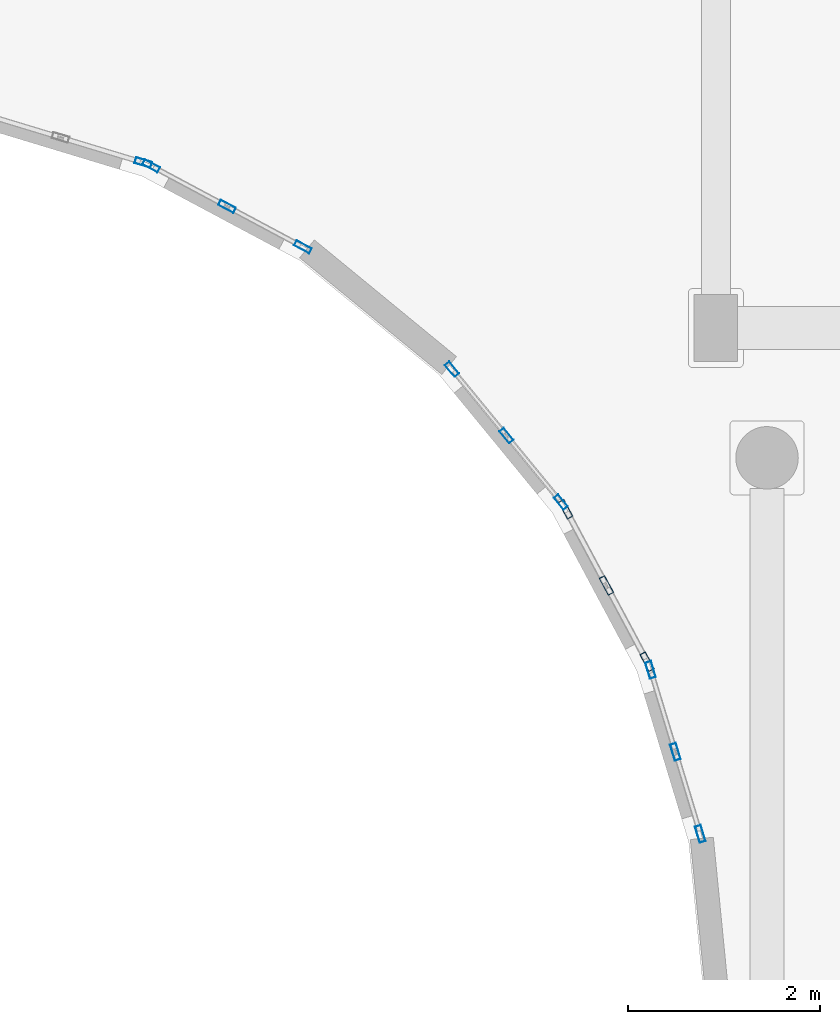
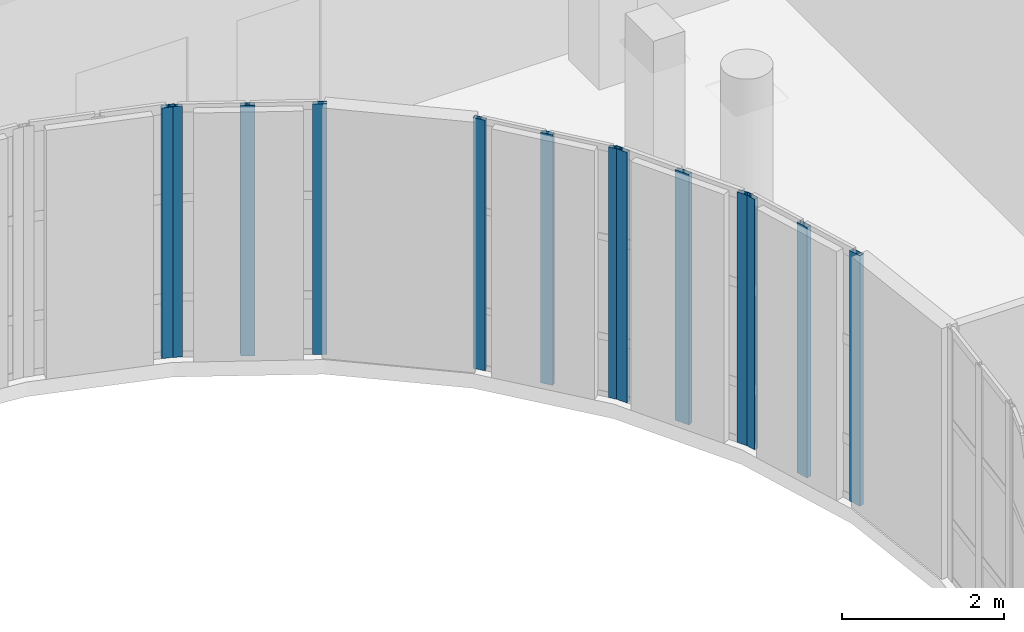
# One storey, part 41 of 89: 13 members, 5 elements without a shape of their own.
"""IFC4 building model written with IfcOpenShell, lengths in metres."""

import ifcopenshell
import ifcopenshell.guid

model = None  # the IFC model being written
_history = None  # IfcOwnerHistory: only IFC2X3 demands one
_inside = {}  # id of a spatial element -> (the spatial element, [elements in it])
_under = {}  # id of a project, library or spatial element -> (it, [spatial elements below it])
_declared = {}  # id of a project -> (the project, [libraries it declares])
_typed = {}  # id of a type object -> (the type object, [elements of that type])
_made_of = {}  # id of a material, layer set ... -> (it, [elements and type objects made of it])


def new_model(schema):
    """Start an empty IFC model of exactly this schema.

    Asked for "IFC4X3", IfcOpenShell would pick the latest addendum, in which some entities
    have other attributes; the version numbers below select the first issue.
    IFC2X3 requires an IfcOwnerHistory on every rooted entity: one is made here for all.
    """
    global model, _history
    if schema == "IFC4X3":
        model = ifcopenshell.file(schema_version=(4, 3, 0, 0))
    else:
        model = ifcopenshell.file(schema=schema)
    _inside.clear()
    _under.clear()
    _declared.clear()
    _typed.clear()
    _made_of.clear()
    _history = None
    if model.schema == "IFC2X3":
        org = make("IfcOrganization", Name="unknown")
        user = make(
            "IfcPersonAndOrganization",
            ThePerson=make("IfcPerson", FamilyName="unknown"),
            TheOrganization=org,
        )
        app = make(
            "IfcApplication",
            ApplicationDeveloper=org,
            Version="unknown",
            ApplicationFullName="unknown",
            ApplicationIdentifier="unknown",
        )
        _history = make(
            "IfcOwnerHistory",
            OwningUser=user,
            OwningApplication=app,
            ChangeAction="ADDED",
            CreationDate=0,
        )
    return model


def make(cls, **values):
    """One entity of the class cls with the attributes given. An attribute that is None is left unset."""
    return model.create_entity(
        cls, **{name: value for name, value in values.items() if value is not None}
    )


def rooted(cls, **values):
    """An entity with a GlobalId (a new one), such as an element, a storey or a relation."""
    return make(cls, GlobalId=ifcopenshell.guid.new(), OwnerHistory=_history, **values)


def si_unit(unit_type, name, prefix=None):
    """IfcSIUnit, for example si_unit("LENGTHUNIT", "METRE", prefix="MILLI")."""
    return make("IfcSIUnit", UnitType=unit_type, Prefix=prefix, Name=name)


def assignment(units):
    """IfcUnitAssignment: the units of a project."""
    return None if units is None else make("IfcUnitAssignment", Units=units)


def point(xyz):
    """IfcCartesianPoint."""
    return None if xyz is None else make("IfcCartesianPoint", Coordinates=xyz)


def direction(xyz):
    """IfcDirection."""
    return None if xyz is None else make("IfcDirection", DirectionRatios=xyz)


def frame(location, z_axis=None, x_axis=None):
    """IfcAxis2Placement3D, a coordinate frame: its origin and axes. An axis left out is left unset."""
    return make(
        "IfcAxis2Placement3D",
        Location=point(location),
        Axis=direction(z_axis),
        RefDirection=direction(x_axis),
    )


def frame_2d(location, x_axis=None):
    """IfcAxis2Placement2D, a coordinate frame in the plane: its origin and x axis."""
    return make(
        "IfcAxis2Placement2D", Location=point(location), RefDirection=direction(x_axis)
    )


def origin():
    """The frame at (0, 0, 0) with its axes left unset."""
    return frame((0.0, 0.0, 0.0))


def origin_2d():
    """The frame at (0, 0) in the plane with its x axis left unset."""
    return frame_2d((0.0, 0.0))


def place(relative_to, where):
    """IfcLocalPlacement: puts the frame where relative to a parent placement (None: the world)."""
    return make(
        "IfcLocalPlacement", PlacementRelTo=relative_to, RelativePlacement=where
    )


def context(
    kind, dimensions, precision=None, world=None, true_north=None, identifier=None
):
    """IfcGeometricRepresentationContext, for example the 3D "Model" context."""
    return make(
        "IfcGeometricRepresentationContext",
        ContextIdentifier=identifier,
        ContextType=kind,
        CoordinateSpaceDimension=dimensions,
        Precision=precision,
        WorldCoordinateSystem=world,
        TrueNorth=true_north,
    )


def subcontext(parent, identifier, kind, view, scale=None):
    """IfcGeometricRepresentationSubContext, for example "Body" below "Model"."""
    return make(
        "IfcGeometricRepresentationSubContext",
        ContextIdentifier=identifier,
        ContextType=kind,
        ParentContext=parent,
        TargetScale=scale,
        TargetView=view,
    )


def project(units=None, contexts=None):
    """IfcProject with its units and contexts."""
    return rooted(
        "IfcProject",
        Name="project",
        RepresentationContexts=contexts,
        UnitsInContext=assignment(units),
    )


def spatial(cls, under=None, at=None, **own):
    """A site, building, storey or space (cls), placed at a placement, below another one or the project."""
    s = rooted(cls, ObjectPlacement=at, **own)
    if under is not None:
        _under.setdefault(under.id(), (under, []))[1].append(s)
    return s


def profile(cls, at=None, kind="AREA", **sizes):
    """A parametric profile (cls). Its sizes go by their IFC names, for example OverallWidth=200.0."""
    return make(cls, ProfileType=kind, Position=at, **sizes)


def hollow_rectangle(**sizes):
    """IfcRectangleHollowProfileDef."""
    return profile("IfcRectangleHollowProfileDef", **sizes)


def extrude(swept, where, along, depth):
    """IfcExtrudedAreaSolid: the profile swept, set in the frame where, extruded along a direction by depth."""
    return make(
        "IfcExtrudedAreaSolid",
        SweptArea=swept,
        Position=where,
        ExtrudedDirection=direction(along),
        Depth=depth,
    )


def shape(context_of_items, identifier, shape_type, items):
    """IfcShapeRepresentation: the items that make up one representation, for example the "Body"."""
    return make(
        "IfcShapeRepresentation",
        ContextOfItems=context_of_items,
        RepresentationIdentifier=identifier,
        RepresentationType=shape_type,
        Items=items,
    )


def material(Name=None, Category=None):
    """IfcMaterial."""
    return make("IfcMaterial", Name=Name, Category=Category)


def layer(
    of_material, thickness, ventilated=None, Name=None, Category=None, Priority=None
):
    """IfcMaterialLayer: one layer of a wall or slab, of a material (None: an air gap)."""
    return make(
        "IfcMaterialLayer",
        Material=of_material,
        LayerThickness=thickness,
        IsVentilated=ventilated,
        Name=Name,
        Category=Category,
        Priority=Priority,
    )


def layer_set(layers, Name=None):
    """IfcMaterialLayerSet."""
    return make("IfcMaterialLayerSet", MaterialLayers=layers, LayerSetName=Name)


def material_profile(
    of_material, cross_section, Name=None, Category=None, Priority=None
):
    """IfcMaterialProfile: a cross section and its material."""
    return make(
        "IfcMaterialProfile",
        Name=Name,
        Material=of_material,
        Profile=cross_section,
        Priority=Priority,
        Category=Category,
    )


def profile_set(profiles, Name=None, composite=None):
    """IfcMaterialProfileSet."""
    return make(
        "IfcMaterialProfileSet",
        Name=Name,
        MaterialProfiles=profiles,
        CompositeProfile=composite,
    )


def made_of(thing, what):
    """Note that an element or type object is made of a material, layer set ...; save() writes the relation."""
    if what is not None:
        _made_of.setdefault(what.id(), (what, []))[1].append(thing)
    return thing


def type_object(cls, material=None, **own):
    """A type object (cls), such as IfcWallType, which elements share."""
    return made_of(rooted(cls, **own), material)


def element(
    cls,
    number,
    at=None,
    inside=None,
    cuts=None,
    type_object=None,
    material=None,
    context=None,
    identifier="Body",
    shape_type=None,
    held_by="IfcProductDefinitionShape",
    body=None,
    shapes=None,
    **own,
):
    """One element of the class cls, such as IfcWall. Its Tag is "e" and its number.

    at: its placement. inside: the storey or other place that contains it. cuts: it is an
    opening in that element (IfcRelVoidsElement). A single representation is given by context,
    identifier, shape_type and body (its items); several are given by shapes. held_by: the class
    of the entity that holds the representations. save() writes the other relations.
    """
    e = rooted(cls, Tag="e%d" % number, ObjectPlacement=at, **own)
    if body is not None:
        shapes = [shape(context, identifier, shape_type, body)]
    if shapes is not None:
        e.Representation = make(held_by, Representations=shapes)
    if inside is not None:
        _inside.setdefault(inside.id(), (inside, []))[1].append(e)
    if cuts is not None:
        rooted(
            "IfcRelVoidsElement", RelatingBuildingElement=cuts, RelatedOpeningElement=e
        )
    if type_object is not None:
        _typed.setdefault(type_object.id(), (type_object, []))[1].append(e)
    return made_of(e, material)


def aggregate(whole, parts):
    """IfcRelAggregates: a whole, such as a stair, and the parts it consists of."""
    return rooted("IfcRelAggregates", RelatingObject=whole, RelatedObjects=parts)


def save(model, path):
    """Write the relations noted so far, then the file.

    IfcRelAggregates (storeys below a building ...), IfcRelContainedInSpatialStructure (elements
    in a storey), IfcRelDefinesByType, IfcRelAssociatesMaterial and IfcRelDeclares: one each for
    every whole, place, type object, material and project.
    """
    for whole, parts in _under.values():
        aggregate(whole, parts)
    for where, things in _inside.values():
        rooted(
            "IfcRelContainedInSpatialStructure",
            RelatedElements=things,
            RelatingStructure=where,
        )
    for kind, things in _typed.values():
        rooted("IfcRelDefinesByType", RelatedObjects=things, RelatingType=kind)
    for what, things in _made_of.values():
        rooted("IfcRelAssociatesMaterial", RelatedObjects=things, RelatingMaterial=what)
    for by, libraries in _declared.values():
        rooted("IfcRelDeclares", RelatingContext=by, RelatedDefinitions=libraries)
    model.write(path)


model = new_model("IFC4")

# Units and contexts
model_context = context("Model", 3, precision=1e-05, world=origin(), true_north=direction((0.0, 1.0)))
body_context = subcontext(model_context, "Body", "Model", "MODEL_VIEW")
ifc_project = project(units=[si_unit("LENGTHUNIT", "METRE"), si_unit("AREAUNIT", "SQUARE_METRE"), si_unit("VOLUMEUNIT", "CUBIC_METRE"), si_unit("PLANEANGLEUNIT", "RADIAN"), si_unit("MASSUNIT", "GRAM", prefix="KILO")], contexts=[model_context])

# Site, building, storey
site_placement = place(None, origin())
site = spatial("IfcSite", under=ifc_project, at=site_placement, CompositionType="ELEMENT")
building_placement = place(site_placement, origin())
building = spatial("IfcBuilding", under=site, at=building_placement, Name="Kelanivale Promenade Academy", CompositionType="ELEMENT")
storey_placement = place(building_placement, frame((0.0, 0.0, 12.199951171875)))
storey = spatial("IfcBuildingStorey", under=building, at=storey_placement, Name="L03", CompositionType="ELEMENT", Elevation=12.199951171875)

# Curtain wall, members
ifc_material_1 = material(Name="Bronze anodised aluminium and solar-control low-E glass", Category="aluminium")
ifc_layer_1 = layer(ifc_material_1, 0.169921875)
ifc_layer_set_1 = layer_set([ifc_layer_1], Name="Bronze anodised aluminium and solar-control low-E glass")
curtain_wall_type_1 = type_object("IfcCurtainWallType", Name="CW-13 Curtain Wall 1350mm Module", PredefinedType="USERDEFINED", material=ifc_layer_set_1)
curtain_wall_1_placement = place(storey_placement, origin())
curtain_wall_1 = element("IfcCurtainWall", 1, at=curtain_wall_1_placement, inside=storey, type_object=curtain_wall_type_1, Name="L03 courtyard curtain wall CW-13", ObjectType="COURTYARD SCREEN GLAZING", PredefinedType="USERDEFINED")
ifc_material_2 = material(Name="Bronze anodised aluminium EN AW-6063 T6", Category="aluminium")
ifc_material_profile_1 = material_profile(ifc_material_2, hollow_rectangle(XDim=0.06005859375, YDim=0.159912109375, WallThickness=0.00390625, at=origin_2d()), Name="ALU 60x160x4.0")
ifc_profile_set_1 = profile_set([ifc_material_profile_1], Name="Bronze anodised aluminium EN AW-6063 T6")
member_type_1 = type_object("IfcMemberType", Name="CWM-01 ALU 60x160x4.0", PredefinedType="MULLION", material=ifc_profile_set_1)
member_1_placement = place(storey_placement, frame((106.7880859375, 62.190185546875, 0.0), z_axis=(0.0, 0.0, 1.0), x_axis=(-0.773257170269, -0.634092539482, 0.0)))
member_1 = element("IfcMember", 2, at=member_1_placement, type_object=member_type_1, Name="CW-13 mullion 1", PredefinedType="MULLION", context=body_context, shape_type="SweptSolid", body=[
    extrude(hollow_rectangle(XDim=0.06005859375, YDim=0.159912109375, WallThickness=0.00390625, at=origin_2d()), origin(), (0.0, 0.0, 1.0), 3.780029296875),
])
member_2_placement = place(storey_placement, frame((106.221435546875, 62.881103515625, 0.0), z_axis=(0.0, 0.0, 1.0), x_axis=(-0.773257170269, -0.634092539482, 0.0)))
member_2 = element("IfcMember", 3, at=member_2_placement, type_object=member_type_1, Name="CW-13 mullion 2", PredefinedType="MULLION", context=body_context, shape_type="SweptSolid", body=[
    extrude(hollow_rectangle(XDim=0.06005859375, YDim=0.159912109375, WallThickness=0.00390625, at=origin_2d()), origin(), (0.0, 0.0, 1.0), 3.780029296875),
])
member_3_placement = place(storey_placement, frame((105.655029296875, 63.57177734375, 0.0), z_axis=(0.0, 0.0, 1.0), x_axis=(-0.773257170269, -0.634092539482, 0.0)))
member_3 = element("IfcMember", 4, at=member_3_placement, type_object=member_type_1, Name="CW-13 mullion 3", PredefinedType="MULLION", context=body_context, shape_type="SweptSolid", body=[
    extrude(hollow_rectangle(XDim=0.06005859375, YDim=0.159912109375, WallThickness=0.00390625, at=origin_2d()), origin(), (0.0, 0.0, 1.0), 3.780029296875),
])
aggregate(curtain_wall_1, [member_1, member_2, member_3])

ifc_layer_2 = layer(ifc_material_1, 0.179931640625)
ifc_layer_set_2 = layer_set([ifc_layer_2], Name="Bronze anodised aluminium and solar-control low-E glass")
curtain_wall_type_2 = type_object("IfcCurtainWallType", Name="CW-14 Curtain Wall 1500mm Module", PredefinedType="USERDEFINED", material=ifc_layer_set_2)
curtain_wall_2_placement = place(storey_placement, origin())
curtain_wall_2 = element("IfcCurtainWall", 5, at=curtain_wall_2_placement, inside=storey, type_object=curtain_wall_type_2, Name="L03 courtyard curtain wall CW-14", ObjectType="COURTYARD SCREEN GLAZING", PredefinedType="USERDEFINED")
ifc_material_profile_2 = material_profile(ifc_material_2, hollow_rectangle(XDim=0.06005859375, YDim=0.179931640625, WallThickness=0.00390625, at=origin_2d()), Name="ALU 60x180x4.0")
ifc_profile_set_2 = profile_set([ifc_material_profile_2], Name="Bronze anodised aluminium EN AW-6063 T6")
member_type_2 = type_object("IfcMemberType", Name="CWM-02 ALU 60x180x4.0", PredefinedType="MULLION", material=ifc_profile_set_2)
member_4_placement = place(storey_placement, frame((104.1044921875, 64.843017578125, 0.0), z_axis=(0.0, 0.0, 1.0), x_axis=(-0.471290193914, -0.881978204448, 0.0)))
member_4 = element("IfcMember", 6, at=member_4_placement, type_object=member_type_2, Name="CW-14 mullion 1", PredefinedType="MULLION", context=body_context, shape_type="SweptSolid", body=[
    extrude(hollow_rectangle(XDim=0.06005859375, YDim=0.179931640625, WallThickness=0.00390625, at=origin_2d()), origin(), (0.0, 0.0, 1.0), 3.780029296875),
])
member_5_placement = place(storey_placement, frame((103.31591796875, 65.264404296875, 0.0), z_axis=(0.0, 0.0, 1.0), x_axis=(-0.471290193914, -0.881978204448, 0.0)))
member_5 = element("IfcMember", 7, at=member_5_placement, type_object=member_type_2, Name="CW-14 mullion 2", PredefinedType="MULLION", context=body_context, shape_type="SweptSolid", body=[
    extrude(hollow_rectangle(XDim=0.06005859375, YDim=0.179931640625, WallThickness=0.00390625, at=origin_2d()), origin(), (0.0, 0.0, 1.0), 3.780029296875),
])
member_6_placement = place(storey_placement, frame((102.52734375, 65.685791015625, 0.0), z_axis=(0.0, 0.0, 1.0), x_axis=(-0.471290193914, -0.881978204448, 0.0)))
member_6 = element("IfcMember", 8, at=member_6_placement, type_object=member_type_2, Name="CW-14 mullion 3", PredefinedType="MULLION", context=body_context, shape_type="SweptSolid", body=[
    extrude(hollow_rectangle(XDim=0.06005859375, YDim=0.179931640625, WallThickness=0.00390625, at=origin_2d()), origin(), (0.0, 0.0, 1.0), 3.780029296875),
])
aggregate(curtain_wall_2, [member_4, member_5, member_6])

ifc_layer_3 = layer(ifc_material_1, 0.179931640625)
ifc_layer_set_3 = layer_set([ifc_layer_3], Name="Bronze anodised aluminium and solar-control low-E glass")
curtain_wall_type_3 = type_object("IfcCurtainWallType", Name="CW-11 Curtain Wall 1950mm Module", PredefinedType="USERDEFINED", material=ifc_layer_set_3)
curtain_wall_3_placement = place(storey_placement, origin())
curtain_wall_3 = element("IfcCurtainWall", 9, at=curtain_wall_3_placement, inside=storey, type_object=curtain_wall_type_3, Name="L03 courtyard curtain wall CW-11", ObjectType="UNITISED GLAZING", PredefinedType="USERDEFINED")
ifc_material_profile_3 = material_profile(ifc_material_2, hollow_rectangle(XDim=0.06494140625, YDim=0.175048828125, WallThickness=0.00390625, at=origin_2d()), Name="ALU 65x175x4.0")
ifc_profile_set_3 = profile_set([ifc_material_profile_3], Name="Bronze anodised aluminium EN AW-6063 T6")
member_type_3 = type_object("IfcMemberType", Name="CWM-03 ALU 65x175x4.0", PredefinedType="MULLION", material=ifc_profile_set_3)
member_7_placement = place(storey_placement, frame((108.237548828125, 58.739013671875, 0.0), z_axis=(0.0, 0.0, 1.0), x_axis=(-0.956987977524, -0.290127576893, 0.0)))
member_7 = element("IfcMember", 10, at=member_7_placement, type_object=member_type_3, Name="CW-11 mullion 1", PredefinedType="MULLION", context=body_context, shape_type="SweptSolid", body=[
    extrude(hollow_rectangle(XDim=0.06494140625, YDim=0.175048828125, WallThickness=0.00390625, at=origin_2d()), origin(), (0.0, 0.0, 1.0), 3.780029296875),
])
member_8_placement = place(storey_placement, frame((107.97900390625, 59.592041015625, 0.0), z_axis=(0.0, 0.0, 1.0), x_axis=(-0.956987977524, -0.290127576893, 0.0)))
member_8 = element("IfcMember", 11, at=member_8_placement, type_object=member_type_3, Name="CW-11 mullion 2", PredefinedType="MULLION", context=body_context, shape_type="SweptSolid", body=[
    extrude(hollow_rectangle(XDim=0.06494140625, YDim=0.175048828125, WallThickness=0.00390625, at=origin_2d()), origin(), (0.0, 0.0, 1.0), 3.780029296875),
])
member_9_placement = place(storey_placement, frame((107.720458984375, 60.44482421875, 0.0), z_axis=(0.0, 0.0, 1.0), x_axis=(-0.956987977524, -0.290127576893, 0.0)))
member_9 = element("IfcMember", 12, at=member_9_placement, type_object=member_type_3, Name="CW-11 mullion 3", PredefinedType="MULLION", context=body_context, shape_type="SweptSolid", body=[
    extrude(hollow_rectangle(XDim=0.06494140625, YDim=0.175048828125, WallThickness=0.00390625, at=origin_2d()), origin(), (0.0, 0.0, 1.0), 3.780029296875),
])
aggregate(curtain_wall_3, [member_7, member_8, member_9])

# Curtain wall, member
ifc_layer_4 = layer(ifc_material_1, 0.159912109375)
ifc_layer_set_4 = layer_set([ifc_layer_4], Name="Bronze anodised aluminium and solar-control low-E glass")
curtain_wall_type_4 = type_object("IfcCurtainWallType", Name="CW-15 Curtain Wall 1650mm Module", PredefinedType="USERDEFINED", material=ifc_layer_set_4)
curtain_wall_4_placement = place(storey_placement, origin())
curtain_wall_4 = element("IfcCurtainWall", 13, at=curtain_wall_4_placement, inside=storey, type_object=curtain_wall_type_4, Name="L03 courtyard curtain wall CW-15", ObjectType="COURTYARD SCREEN GLAZING", PredefinedType="USERDEFINED")
member_10_placement = place(storey_placement, frame((102.44482421875, 65.720458984375, 0.0), z_axis=(0.0, 0.0, 1.0), x_axis=(-0.290007395287, -0.957024404432, 0.0)))
member_10 = element("IfcMember", 14, at=member_10_placement, type_object=member_type_3, Name="CW-15 mullion 1", PredefinedType="MULLION", context=body_context, shape_type="SweptSolid", body=[
    extrude(hollow_rectangle(XDim=0.06494140625, YDim=0.175048828125, WallThickness=0.00390625, at=origin_2d()), origin(), (0.0, 0.0, 1.0), 3.780029296875),
])
aggregate(curtain_wall_4, [member_10])

# Curtain wall, members
ifc_layer_5 = layer(ifc_material_1, 0.159912109375)
ifc_layer_set_5 = layer_set([ifc_layer_5], Name="Bronze anodised aluminium and solar-control low-E glass")
curtain_wall_type_5 = type_object("IfcCurtainWallType", Name="CW-12 Curtain Wall 1200mm Module", PredefinedType="USERDEFINED", material=ifc_layer_set_5)
curtain_wall_5_placement = place(storey_placement, origin())
curtain_wall_5 = element("IfcCurtainWall", 15, at=curtain_wall_5_placement, inside=storey, type_object=curtain_wall_type_5, Name="L03 courtyard curtain wall CW-12", ObjectType="UNITISED GLAZING", PredefinedType="USERDEFINED")
ifc_material_profile_4 = material_profile(ifc_material_2, hollow_rectangle(XDim=0.06494140625, YDim=0.199951171875, WallThickness=0.00439453125, at=origin_2d()), Name="ALU 65x200x4.5")
ifc_profile_set_4 = profile_set([ifc_material_profile_4], Name="Bronze anodised aluminium EN AW-6063 T6")
member_type_4 = type_object("IfcMemberType", Name="CWM-04 ALU 65x200x4.5", PredefinedType="MULLION", material=ifc_profile_set_4)
member_11_placement = place(storey_placement, frame((107.6845703125, 60.52978515625, 0.0), z_axis=(0.0, 0.0, 1.0), x_axis=(-0.881966294698, -0.471312481286, 0.0)))
member_11 = element("IfcMember", 16, at=member_11_placement, type_object=member_type_4, Name="CW-12 mullion 1", PredefinedType="MULLION", context=body_context, shape_type="SweptSolid", body=[
    extrude(hollow_rectangle(XDim=0.06494140625, YDim=0.199951171875, WallThickness=0.00439453125, at=origin_2d()), origin(), (0.0, 0.0, 1.0), 3.780029296875),
])
member_12_placement = place(storey_placement, frame((107.260986328125, 61.322509765625, 0.0), z_axis=(0.0, 0.0, 1.0), x_axis=(-0.881966294698, -0.471312481286, 0.0)))
member_12 = element("IfcMember", 17, at=member_12_placement, type_object=member_type_4, Name="CW-12 mullion 2", PredefinedType="MULLION", context=body_context, shape_type="SweptSolid", body=[
    extrude(hollow_rectangle(XDim=0.06494140625, YDim=0.199951171875, WallThickness=0.00439453125, at=origin_2d()), origin(), (0.0, 0.0, 1.0), 3.780029296875),
])
member_13_placement = place(storey_placement, frame((106.83740234375, 62.115234375, 0.0), z_axis=(0.0, 0.0, 1.0), x_axis=(-0.881966294698, -0.471312481286, 0.0)))
member_13 = element("IfcMember", 18, at=member_13_placement, type_object=member_type_4, Name="CW-12 mullion 3", PredefinedType="MULLION", context=body_context, shape_type="SweptSolid", body=[
    extrude(hollow_rectangle(XDim=0.06494140625, YDim=0.199951171875, WallThickness=0.00439453125, at=origin_2d()), origin(), (0.0, 0.0, 1.0), 3.780029296875),
])
aggregate(curtain_wall_5, [member_11, member_12, member_13])

save(model, "model.ifc")
